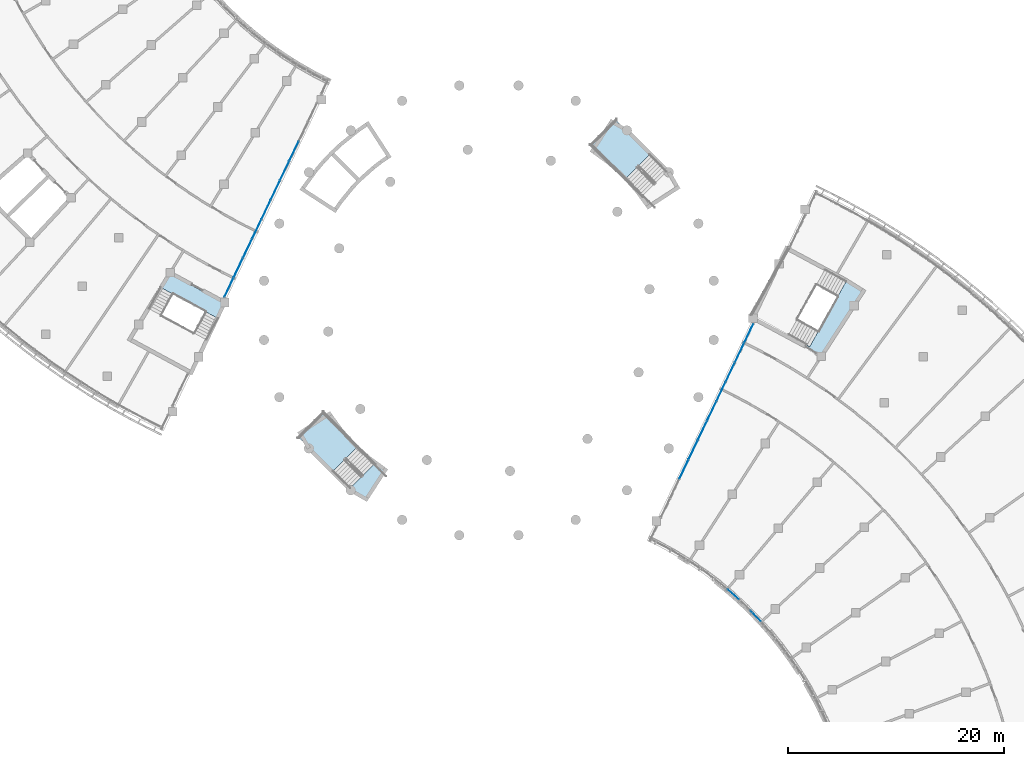
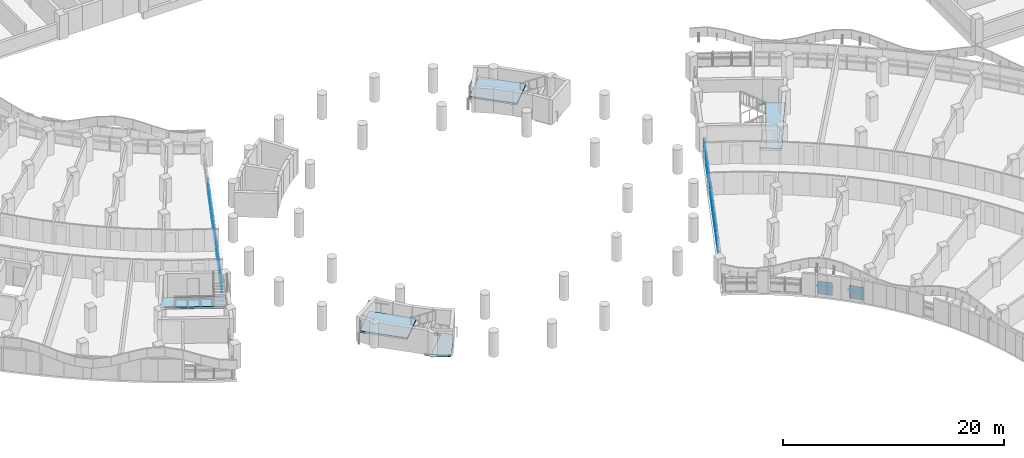
# One storey, part 28 of 89: 54 plates, 5 slabs, 5 elements without a shape of their own.
"""IFC4 building model written with IfcOpenShell, lengths in metres."""

from ifc_helpers import new_model, si_unit, direction, frame, origin, origin_2d, place, context, subcontext, project, spatial, polyline, rectangle, outline, extrude, material, layer, layer_set, type_object, element, aggregate, save


model = new_model("IFC4")

# Units and contexts
model_context = context("Model", 3, precision=1e-05, world=origin(), true_north=direction((0.0, 1.0)))
body_context = subcontext(model_context, "Body", "Model", "MODEL_VIEW")
ifc_project = project(units=[si_unit("LENGTHUNIT", "METRE"), si_unit("AREAUNIT", "SQUARE_METRE"), si_unit("VOLUMEUNIT", "CUBIC_METRE"), si_unit("PLANEANGLEUNIT", "RADIAN"), si_unit("MASSUNIT", "GRAM", prefix="KILO")], contexts=[model_context])

# Site, building, storey
site_placement = place(None, origin())
site = spatial("IfcSite", under=ifc_project, at=site_placement, CompositionType="ELEMENT")
building_placement = place(site_placement, origin())
building = spatial("IfcBuilding", under=site, at=building_placement, Name="Bougainvillea Quay General Hospital", CompositionType="ELEMENT")
storey_placement = place(building_placement, frame((0.0, 0.0, 9.89990234375)))
storey = spatial("IfcBuildingStorey", under=building, at=storey_placement, Name="L01M", CompositionType="ELEMENT", Elevation=9.89990234375)

# Curtain wall, plates
ifc_material_1 = material(Name="Aluminium curtain wall system, powder-coated glazed", Category="aluminium")
curtain_wall_type_1 = type_object("IfcCurtainWallType", Name="Unitised curtain wall CW-1997", PredefinedType="NOTDEFINED", material=ifc_material_1)
curtain_wall_1_placement = place(storey_placement, origin())
curtain_wall_1 = element("IfcCurtainWall", 1, at=curtain_wall_1_placement, inside=storey, type_object=curtain_wall_type_1, Name="CW-AE 02", PredefinedType="NOTDEFINED")
ifc_material_2 = material(Name="Insulated aluminium spandrel panel, white", Category="aluminium")
ifc_layer_1 = layer(ifc_material_2, 0.028076171875)
ifc_layer_set_1 = layer_set([ifc_layer_1], Name="Insulated aluminium spandrel panel, white")
plate_type_1 = type_object("IfcPlateType", Name="Insulated spandrel panel white 28", PredefinedType="CURTAIN_PANEL", material=ifc_layer_set_1)
plate_1_placement = place(storey_placement, frame((85.13818359375, 76.134033203125, 0.06005859375), z_axis=(0.0, 0.0, 1.0), x_axis=(0.430525444112, 0.902578440897, 0.0)))
plate_1 = element("IfcPlate", 2, at=plate_1_placement, type_object=plate_type_1, Name="CW-AE spandrel panel 1.1", PredefinedType="CURTAIN_PANEL", context=body_context, shape_type="SweptSolid", body=[
    extrude(rectangle(XDim=1.906005859375, YDim=0.028076171875, at=origin_2d()), origin(), (0.0, 0.0, 1.0), 0.81005859375),
])
plate_2_placement = place(storey_placement, frame((85.13818359375, 76.134033203125, 1.080078125), z_axis=(0.0, 0.0, 1.0), x_axis=(0.430525444112, 0.902578440897, 0.0)))
plate_2 = element("IfcPlate", 3, at=plate_2_placement, type_object=plate_type_1, Name="CW-AE spandrel panel 1.3", PredefinedType="CURTAIN_PANEL", context=body_context, shape_type="SweptSolid", body=[
    extrude(rectangle(XDim=1.906005859375, YDim=0.028076171875, at=origin_2d()), origin(), (0.0, 0.0, 1.0), 0.409912109375),
])
plate_3_placement = place(storey_placement, frame((85.9912109375, 77.922119140625, 0.06005859375), z_axis=(0.0, 0.0, 1.0), x_axis=(0.430525444112, 0.902578440897, 0.0)))
plate_3 = element("IfcPlate", 4, at=plate_3_placement, type_object=plate_type_1, Name="CW-AE spandrel panel 2.1", PredefinedType="CURTAIN_PANEL", context=body_context, shape_type="SweptSolid", body=[
    extrude(rectangle(XDim=1.93603515625, YDim=0.028076171875, at=origin_2d()), origin(), (0.0, 0.0, 1.0), 0.81005859375),
])
plate_4_placement = place(storey_placement, frame((85.9912109375, 77.922119140625, 1.080078125), z_axis=(0.0, 0.0, 1.0), x_axis=(0.430525444112, 0.902578440897, 0.0)))
plate_4 = element("IfcPlate", 5, at=plate_4_placement, type_object=plate_type_1, Name="CW-AE spandrel panel 2.3", PredefinedType="CURTAIN_PANEL", context=body_context, shape_type="SweptSolid", body=[
    extrude(rectangle(XDim=1.93603515625, YDim=0.028076171875, at=origin_2d()), origin(), (0.0, 0.0, 1.0), 0.409912109375),
])
plate_5_placement = place(storey_placement, frame((86.8505859375, 79.7236328125, 0.06005859375), z_axis=(0.0, 0.0, 1.0), x_axis=(0.430525444112, 0.902578440897, 0.0)))
plate_5 = element("IfcPlate", 6, at=plate_5_placement, type_object=plate_type_1, Name="CW-AE spandrel panel 3.1", PredefinedType="CURTAIN_PANEL", context=body_context, shape_type="SweptSolid", body=[
    extrude(rectangle(XDim=1.93603515625, YDim=0.028076171875, at=origin_2d()), origin(), (0.0, 0.0, 1.0), 0.81005859375),
])
plate_6_placement = place(storey_placement, frame((86.8505859375, 79.7236328125, 1.080078125), z_axis=(0.0, 0.0, 1.0), x_axis=(0.430525444112, 0.902578440897, 0.0)))
plate_6 = element("IfcPlate", 7, at=plate_6_placement, type_object=plate_type_1, Name="CW-AE spandrel panel 3.3", PredefinedType="CURTAIN_PANEL", context=body_context, shape_type="SweptSolid", body=[
    extrude(rectangle(XDim=1.93603515625, YDim=0.028076171875, at=origin_2d()), origin(), (0.0, 0.0, 1.0), 0.409912109375),
])
plate_7_placement = place(storey_placement, frame((87.709716796875, 81.525390625, 0.06005859375), z_axis=(0.0, 0.0, 1.0), x_axis=(0.430525444112, 0.902578440897, 0.0)))
plate_7 = element("IfcPlate", 8, at=plate_7_placement, type_object=plate_type_1, Name="CW-AE spandrel panel 4.1", PredefinedType="CURTAIN_PANEL", context=body_context, shape_type="SweptSolid", body=[
    extrude(rectangle(XDim=1.93603515625, YDim=0.028076171875, at=origin_2d()), origin(), (0.0, 0.0, 1.0), 0.81005859375),
])
plate_8_placement = place(storey_placement, frame((87.709716796875, 81.525390625, 1.080078125), z_axis=(0.0, 0.0, 1.0), x_axis=(0.430525444112, 0.902578440897, 0.0)))
plate_8 = element("IfcPlate", 9, at=plate_8_placement, type_object=plate_type_1, Name="CW-AE spandrel panel 4.3", PredefinedType="CURTAIN_PANEL", context=body_context, shape_type="SweptSolid", body=[
    extrude(rectangle(XDim=1.93603515625, YDim=0.028076171875, at=origin_2d()), origin(), (0.0, 0.0, 1.0), 0.409912109375),
])
plate_9_placement = place(storey_placement, frame((88.569091796875, 83.326904296875, 0.06005859375), z_axis=(0.0, 0.0, 1.0), x_axis=(0.430525444112, 0.902578440897, 0.0)))
plate_9 = element("IfcPlate", 10, at=plate_9_placement, type_object=plate_type_1, Name="CW-AE spandrel panel 5.1", PredefinedType="CURTAIN_PANEL", context=body_context, shape_type="SweptSolid", body=[
    extrude(rectangle(XDim=1.93603515625, YDim=0.028076171875, at=origin_2d()), origin(), (0.0, 0.0, 1.0), 0.81005859375),
])
plate_10_placement = place(storey_placement, frame((88.569091796875, 83.326904296875, 1.080078125), z_axis=(0.0, 0.0, 1.0), x_axis=(0.430525444112, 0.902578440897, 0.0)))
plate_10 = element("IfcPlate", 11, at=plate_10_placement, type_object=plate_type_1, Name="CW-AE spandrel panel 5.3", PredefinedType="CURTAIN_PANEL", context=body_context, shape_type="SweptSolid", body=[
    extrude(rectangle(XDim=1.93603515625, YDim=0.028076171875, at=origin_2d()), origin(), (0.0, 0.0, 1.0), 0.409912109375),
])
plate_11_placement = place(storey_placement, frame((89.428466796875, 85.12841796875, 0.06005859375), z_axis=(0.0, 0.0, 1.0), x_axis=(0.430525444112, 0.902578440897, 0.0)))
plate_11 = element("IfcPlate", 12, at=plate_11_placement, type_object=plate_type_1, Name="CW-AE spandrel panel 6.1", PredefinedType="CURTAIN_PANEL", context=body_context, shape_type="SweptSolid", body=[
    extrude(rectangle(XDim=1.93603515625, YDim=0.028076171875, at=origin_2d()), origin(), (0.0, 0.0, 1.0), 0.81005859375),
])
plate_12_placement = place(storey_placement, frame((89.428466796875, 85.12841796875, 1.080078125), z_axis=(0.0, 0.0, 1.0), x_axis=(0.430525444112, 0.902578440897, 0.0)))
plate_12 = element("IfcPlate", 13, at=plate_12_placement, type_object=plate_type_1, Name="CW-AE spandrel panel 6.3", PredefinedType="CURTAIN_PANEL", context=body_context, shape_type="SweptSolid", body=[
    extrude(rectangle(XDim=1.93603515625, YDim=0.028076171875, at=origin_2d()), origin(), (0.0, 0.0, 1.0), 0.409912109375),
])
plate_13_placement = place(storey_placement, frame((90.287841796875, 86.929931640625, 0.06005859375), z_axis=(0.0, 0.0, 1.0), x_axis=(0.430525444112, 0.902578440897, 0.0)))
plate_13 = element("IfcPlate", 14, at=plate_13_placement, type_object=plate_type_1, Name="CW-AE spandrel panel 7.1", PredefinedType="CURTAIN_PANEL", context=body_context, shape_type="SweptSolid", body=[
    extrude(rectangle(XDim=1.93603515625, YDim=0.028076171875, at=origin_2d()), origin(), (0.0, 0.0, 1.0), 0.81005859375),
])
plate_14_placement = place(storey_placement, frame((90.287841796875, 86.929931640625, 1.080078125), z_axis=(0.0, 0.0, 1.0), x_axis=(0.430525444112, 0.902578440897, 0.0)))
plate_14 = element("IfcPlate", 15, at=plate_14_placement, type_object=plate_type_1, Name="CW-AE spandrel panel 7.3", PredefinedType="CURTAIN_PANEL", context=body_context, shape_type="SweptSolid", body=[
    extrude(rectangle(XDim=1.93603515625, YDim=0.028076171875, at=origin_2d()), origin(), (0.0, 0.0, 1.0), 0.409912109375),
])
plate_15_placement = place(storey_placement, frame((91.147216796875, 88.731689453125, 0.06005859375), z_axis=(0.0, 0.0, 1.0), x_axis=(0.430525444112, 0.902578440897, 0.0)))
plate_15 = element("IfcPlate", 16, at=plate_15_placement, type_object=plate_type_1, Name="CW-AE spandrel panel 8.1", PredefinedType="CURTAIN_PANEL", context=body_context, shape_type="SweptSolid", body=[
    extrude(rectangle(XDim=1.93603515625, YDim=0.028076171875, at=origin_2d()), origin(), (0.0, 0.0, 1.0), 0.81005859375),
])
plate_16_placement = place(storey_placement, frame((91.147216796875, 88.731689453125, 1.080078125), z_axis=(0.0, 0.0, 1.0), x_axis=(0.430525444112, 0.902578440897, 0.0)))
plate_16 = element("IfcPlate", 17, at=plate_16_placement, type_object=plate_type_1, Name="CW-AE spandrel panel 8.3", PredefinedType="CURTAIN_PANEL", context=body_context, shape_type="SweptSolid", body=[
    extrude(rectangle(XDim=1.93603515625, YDim=0.028076171875, at=origin_2d()), origin(), (0.0, 0.0, 1.0), 0.409912109375),
])

curtain_wall_2_placement = place(storey_placement, origin())
curtain_wall_2 = element("IfcCurtainWall", 18, at=curtain_wall_2_placement, inside=storey, type_object=curtain_wall_type_1, Name="CW-AE 02", PredefinedType="NOTDEFINED")
plate_17_placement = place(storey_placement, frame((133.26171875, 71.865966796875, 0.06005859375), z_axis=(0.0, 0.0, 1.0), x_axis=(-0.430525444112, -0.902578440897, 0.0)))
plate_17 = element("IfcPlate", 19, at=plate_17_placement, type_object=plate_type_1, Name="CW-AE spandrel panel 1.1", PredefinedType="CURTAIN_PANEL", context=body_context, shape_type="SweptSolid", body=[
    extrude(rectangle(XDim=1.906005859375, YDim=0.028076171875, at=origin_2d()), origin(), (0.0, 0.0, 1.0), 0.81005859375),
])
plate_18_placement = place(storey_placement, frame((133.26171875, 71.865966796875, 1.080078125), z_axis=(0.0, 0.0, 1.0), x_axis=(-0.430525444112, -0.902578440897, 0.0)))
plate_18 = element("IfcPlate", 20, at=plate_18_placement, type_object=plate_type_1, Name="CW-AE spandrel panel 1.3", PredefinedType="CURTAIN_PANEL", context=body_context, shape_type="SweptSolid", body=[
    extrude(rectangle(XDim=1.906005859375, YDim=0.028076171875, at=origin_2d()), origin(), (0.0, 0.0, 1.0), 0.409912109375),
])
plate_19_placement = place(storey_placement, frame((132.408935546875, 70.077880859375, 0.06005859375), z_axis=(0.0, 0.0, 1.0), x_axis=(-0.430525444112, -0.902578440897, 0.0)))
plate_19 = element("IfcPlate", 21, at=plate_19_placement, type_object=plate_type_1, Name="CW-AE spandrel panel 2.1", PredefinedType="CURTAIN_PANEL", context=body_context, shape_type="SweptSolid", body=[
    extrude(rectangle(XDim=1.93603515625, YDim=0.028076171875, at=origin_2d()), origin(), (0.0, 0.0, 1.0), 0.81005859375),
])
plate_20_placement = place(storey_placement, frame((132.408935546875, 70.077880859375, 1.080078125), z_axis=(0.0, 0.0, 1.0), x_axis=(-0.430525444112, -0.902578440897, 0.0)))
plate_20 = element("IfcPlate", 22, at=plate_20_placement, type_object=plate_type_1, Name="CW-AE spandrel panel 2.3", PredefinedType="CURTAIN_PANEL", context=body_context, shape_type="SweptSolid", body=[
    extrude(rectangle(XDim=1.93603515625, YDim=0.028076171875, at=origin_2d()), origin(), (0.0, 0.0, 1.0), 0.409912109375),
])
plate_21_placement = place(storey_placement, frame((131.549560546875, 68.2763671875, 0.06005859375), z_axis=(0.0, 0.0, 1.0), x_axis=(-0.430525444112, -0.902578440897, 0.0)))
plate_21 = element("IfcPlate", 23, at=plate_21_placement, type_object=plate_type_1, Name="CW-AE spandrel panel 3.1", PredefinedType="CURTAIN_PANEL", context=body_context, shape_type="SweptSolid", body=[
    extrude(rectangle(XDim=1.93603515625, YDim=0.028076171875, at=origin_2d()), origin(), (0.0, 0.0, 1.0), 0.81005859375),
])
plate_22_placement = place(storey_placement, frame((131.549560546875, 68.2763671875, 1.080078125), z_axis=(0.0, 0.0, 1.0), x_axis=(-0.430525444112, -0.902578440897, 0.0)))
plate_22 = element("IfcPlate", 24, at=plate_22_placement, type_object=plate_type_1, Name="CW-AE spandrel panel 3.3", PredefinedType="CURTAIN_PANEL", context=body_context, shape_type="SweptSolid", body=[
    extrude(rectangle(XDim=1.93603515625, YDim=0.028076171875, at=origin_2d()), origin(), (0.0, 0.0, 1.0), 0.409912109375),
])
plate_23_placement = place(storey_placement, frame((130.690185546875, 66.474609375, 0.06005859375), z_axis=(0.0, 0.0, 1.0), x_axis=(-0.430525444112, -0.902578440897, 0.0)))
plate_23 = element("IfcPlate", 25, at=plate_23_placement, type_object=plate_type_1, Name="CW-AE spandrel panel 4.1", PredefinedType="CURTAIN_PANEL", context=body_context, shape_type="SweptSolid", body=[
    extrude(rectangle(XDim=1.93603515625, YDim=0.028076171875, at=origin_2d()), origin(), (0.0, 0.0, 1.0), 0.81005859375),
])
plate_24_placement = place(storey_placement, frame((130.690185546875, 66.474609375, 1.080078125), z_axis=(0.0, 0.0, 1.0), x_axis=(-0.430525444112, -0.902578440897, 0.0)))
plate_24 = element("IfcPlate", 26, at=plate_24_placement, type_object=plate_type_1, Name="CW-AE spandrel panel 4.3", PredefinedType="CURTAIN_PANEL", context=body_context, shape_type="SweptSolid", body=[
    extrude(rectangle(XDim=1.93603515625, YDim=0.028076171875, at=origin_2d()), origin(), (0.0, 0.0, 1.0), 0.409912109375),
])
plate_25_placement = place(storey_placement, frame((129.830810546875, 64.673095703125, 0.06005859375), z_axis=(0.0, 0.0, 1.0), x_axis=(-0.430525444112, -0.902578440897, 0.0)))
plate_25 = element("IfcPlate", 27, at=plate_25_placement, type_object=plate_type_1, Name="CW-AE spandrel panel 5.1", PredefinedType="CURTAIN_PANEL", context=body_context, shape_type="SweptSolid", body=[
    extrude(rectangle(XDim=1.93603515625, YDim=0.028076171875, at=origin_2d()), origin(), (0.0, 0.0, 1.0), 0.81005859375),
])
plate_26_placement = place(storey_placement, frame((129.830810546875, 64.673095703125, 1.080078125), z_axis=(0.0, 0.0, 1.0), x_axis=(-0.430525444112, -0.902578440897, 0.0)))
plate_26 = element("IfcPlate", 28, at=plate_26_placement, type_object=plate_type_1, Name="CW-AE spandrel panel 5.3", PredefinedType="CURTAIN_PANEL", context=body_context, shape_type="SweptSolid", body=[
    extrude(rectangle(XDim=1.93603515625, YDim=0.028076171875, at=origin_2d()), origin(), (0.0, 0.0, 1.0), 0.409912109375),
])
plate_27_placement = place(storey_placement, frame((128.971435546875, 62.87158203125, 0.06005859375), z_axis=(0.0, 0.0, 1.0), x_axis=(-0.430525444112, -0.902578440897, 0.0)))
plate_27 = element("IfcPlate", 29, at=plate_27_placement, type_object=plate_type_1, Name="CW-AE spandrel panel 6.1", PredefinedType="CURTAIN_PANEL", context=body_context, shape_type="SweptSolid", body=[
    extrude(rectangle(XDim=1.93603515625, YDim=0.028076171875, at=origin_2d()), origin(), (0.0, 0.0, 1.0), 0.81005859375),
])
plate_28_placement = place(storey_placement, frame((128.971435546875, 62.87158203125, 1.080078125), z_axis=(0.0, 0.0, 1.0), x_axis=(-0.430525444112, -0.902578440897, 0.0)))
plate_28 = element("IfcPlate", 30, at=plate_28_placement, type_object=plate_type_1, Name="CW-AE spandrel panel 6.3", PredefinedType="CURTAIN_PANEL", context=body_context, shape_type="SweptSolid", body=[
    extrude(rectangle(XDim=1.93603515625, YDim=0.028076171875, at=origin_2d()), origin(), (0.0, 0.0, 1.0), 0.409912109375),
])
plate_29_placement = place(storey_placement, frame((128.112060546875, 61.070068359375, 0.06005859375), z_axis=(0.0, 0.0, 1.0), x_axis=(-0.430525444112, -0.902578440897, 0.0)))
plate_29 = element("IfcPlate", 31, at=plate_29_placement, type_object=plate_type_1, Name="CW-AE spandrel panel 7.1", PredefinedType="CURTAIN_PANEL", context=body_context, shape_type="SweptSolid", body=[
    extrude(rectangle(XDim=1.93603515625, YDim=0.028076171875, at=origin_2d()), origin(), (0.0, 0.0, 1.0), 0.81005859375),
])
plate_30_placement = place(storey_placement, frame((128.112060546875, 61.070068359375, 1.080078125), z_axis=(0.0, 0.0, 1.0), x_axis=(-0.430525444112, -0.902578440897, 0.0)))
plate_30 = element("IfcPlate", 32, at=plate_30_placement, type_object=plate_type_1, Name="CW-AE spandrel panel 7.3", PredefinedType="CURTAIN_PANEL", context=body_context, shape_type="SweptSolid", body=[
    extrude(rectangle(XDim=1.93603515625, YDim=0.028076171875, at=origin_2d()), origin(), (0.0, 0.0, 1.0), 0.409912109375),
])
plate_31_placement = place(storey_placement, frame((127.252685546875, 59.268310546875, 0.06005859375), z_axis=(0.0, 0.0, 1.0), x_axis=(-0.430525444112, -0.902578440897, 0.0)))
plate_31 = element("IfcPlate", 33, at=plate_31_placement, type_object=plate_type_1, Name="CW-AE spandrel panel 8.1", PredefinedType="CURTAIN_PANEL", context=body_context, shape_type="SweptSolid", body=[
    extrude(rectangle(XDim=1.93603515625, YDim=0.028076171875, at=origin_2d()), origin(), (0.0, 0.0, 1.0), 0.81005859375),
])
plate_32_placement = place(storey_placement, frame((127.252685546875, 59.268310546875, 1.080078125), z_axis=(0.0, 0.0, 1.0), x_axis=(-0.430525444112, -0.902578440897, 0.0)))
plate_32 = element("IfcPlate", 34, at=plate_32_placement, type_object=plate_type_1, Name="CW-AE spandrel panel 8.3", PredefinedType="CURTAIN_PANEL", context=body_context, shape_type="SweptSolid", body=[
    extrude(rectangle(XDim=1.93603515625, YDim=0.028076171875, at=origin_2d()), origin(), (0.0, 0.0, 1.0), 0.409912109375),
])

curtain_wall_type_2 = type_object("IfcCurtainWallType", Name="Unitised curtain wall CW-2100", PredefinedType="NOTDEFINED", material=ifc_material_1)
curtain_wall_3_placement = place(storey_placement, origin())
curtain_wall_3 = element("IfcCurtainWall", 35, at=curtain_wall_3_placement, inside=storey, type_object=curtain_wall_type_2, Name="CW-E03 a12b2", PredefinedType="NOTDEFINED")
plate_33_placement = place(storey_placement, frame((131.830322265625, 47.6982421875, 0.06005859375), z_axis=(0.0, 0.0, 1.0), x_axis=(0.750772439283, -0.660560931643, 0.0)))
plate_33 = element("IfcPlate", 36, at=plate_33_placement, type_object=plate_type_1, Name="CW-E03 spandrel panel 1.1", PredefinedType="CURTAIN_PANEL", context=body_context, shape_type="SweptSolid", body=[
    extrude(rectangle(XDim=1.366943359375, YDim=0.028076171875, at=origin_2d()), origin(), (0.0, 0.0, 1.0), 0.81005859375),
])
plate_34_placement = place(storey_placement, frame((131.830322265625, 47.6982421875, 1.080078125), z_axis=(0.0, 0.0, 1.0), x_axis=(0.750772439283, -0.660560931643, 0.0)))
plate_34 = element("IfcPlate", 37, at=plate_34_placement, type_object=plate_type_1, Name="CW-E03 spandrel panel 1.3", PredefinedType="CURTAIN_PANEL", context=body_context, shape_type="SweptSolid", body=[
    extrude(rectangle(XDim=1.366943359375, YDim=0.028076171875, at=origin_2d()), origin(), (0.0, 0.0, 1.0), 0.409912109375),
])
plate_35_placement = place(storey_placement, frame((133.911376953125, 45.703857421875, 0.06005859375), z_axis=(0.0, 0.0, 1.0), x_axis=(0.691924792604, -0.721969584803, 0.0)))
plate_35 = element("IfcPlate", 38, at=plate_35_placement, type_object=plate_type_1, Name="CW-E03 spandrel panel 3.1", PredefinedType="CURTAIN_PANEL", context=body_context, shape_type="SweptSolid", body=[
    extrude(rectangle(XDim=1.366943359375, YDim=0.028076171875, at=origin_2d()), origin(), (0.0, 0.0, 1.0), 0.81005859375),
])
plate_36_placement = place(storey_placement, frame((133.911376953125, 45.703857421875, 1.080078125), z_axis=(0.0, 0.0, 1.0), x_axis=(0.691924792604, -0.721969584803, 0.0)))
plate_36 = element("IfcPlate", 39, at=plate_36_placement, type_object=plate_type_1, Name="CW-E03 spandrel panel 3.3", PredefinedType="CURTAIN_PANEL", context=body_context, shape_type="SweptSolid", body=[
    extrude(rectangle(XDim=1.366943359375, YDim=0.028076171875, at=origin_2d()), origin(), (0.0, 0.0, 1.0), 0.409912109375),
])

# Plate
ifc_material_3 = material(Name="Low-e laminated glass, solar control", Category="glass")
ifc_layer_2 = layer(ifc_material_3, 0.028076171875)
ifc_layer_set_2 = layer_set([ifc_layer_2], Name="Low-e laminated glass, solar control")
plate_type_2 = type_object("IfcPlateType", Name="Low-e laminated vision glass 28", PredefinedType="CURTAIN_PANEL", material=ifc_layer_set_2)
plate_37_placement = place(storey_placement, frame((85.13818359375, 76.134033203125, 0.93017578125), z_axis=(0.0, 0.0, 1.0), x_axis=(0.430525444112, 0.902578440897, 0.0)))
plate_37 = element("IfcPlate", 40, at=plate_37_placement, type_object=plate_type_2, Name="CW-AE vision glass panel 1.2", PredefinedType="CURTAIN_PANEL", context=body_context, shape_type="SweptSolid", body=[
    extrude(rectangle(XDim=1.906005859375, YDim=0.028076171875, at=origin_2d()), origin(), (0.0, 0.0, 1.0), 0.090087890625),
])

plate_38_placement = place(storey_placement, frame((85.9912109375, 77.922119140625, 0.93017578125), z_axis=(0.0, 0.0, 1.0), x_axis=(0.430525444112, 0.902578440897, 0.0)))
plate_38 = element("IfcPlate", 41, at=plate_38_placement, type_object=plate_type_2, Name="CW-AE vision glass panel 2.2", PredefinedType="CURTAIN_PANEL", context=body_context, shape_type="SweptSolid", body=[
    extrude(rectangle(XDim=1.93603515625, YDim=0.028076171875, at=origin_2d()), origin(), (0.0, 0.0, 1.0), 0.090087890625),
])

plate_39_placement = place(storey_placement, frame((86.8505859375, 79.7236328125, 0.93017578125), z_axis=(0.0, 0.0, 1.0), x_axis=(0.430525444112, 0.902578440897, 0.0)))
plate_39 = element("IfcPlate", 42, at=plate_39_placement, type_object=plate_type_2, Name="CW-AE vision glass panel 3.2", PredefinedType="CURTAIN_PANEL", context=body_context, shape_type="SweptSolid", body=[
    extrude(rectangle(XDim=1.93603515625, YDim=0.028076171875, at=origin_2d()), origin(), (0.0, 0.0, 1.0), 0.090087890625),
])

plate_40_placement = place(storey_placement, frame((87.709716796875, 81.525390625, 0.93017578125), z_axis=(0.0, 0.0, 1.0), x_axis=(0.430525444112, 0.902578440897, 0.0)))
plate_40 = element("IfcPlate", 43, at=plate_40_placement, type_object=plate_type_2, Name="CW-AE vision glass panel 4.2", PredefinedType="CURTAIN_PANEL", context=body_context, shape_type="SweptSolid", body=[
    extrude(rectangle(XDim=1.93603515625, YDim=0.028076171875, at=origin_2d()), origin(), (0.0, 0.0, 1.0), 0.090087890625),
])

plate_41_placement = place(storey_placement, frame((88.569091796875, 83.326904296875, 0.93017578125), z_axis=(0.0, 0.0, 1.0), x_axis=(0.430525444112, 0.902578440897, 0.0)))
plate_41 = element("IfcPlate", 44, at=plate_41_placement, type_object=plate_type_2, Name="CW-AE vision glass panel 5.2", PredefinedType="CURTAIN_PANEL", context=body_context, shape_type="SweptSolid", body=[
    extrude(rectangle(XDim=1.93603515625, YDim=0.028076171875, at=origin_2d()), origin(), (0.0, 0.0, 1.0), 0.090087890625),
])

plate_42_placement = place(storey_placement, frame((89.428466796875, 85.12841796875, 0.93017578125), z_axis=(0.0, 0.0, 1.0), x_axis=(0.430525444112, 0.902578440897, 0.0)))
plate_42 = element("IfcPlate", 45, at=plate_42_placement, type_object=plate_type_2, Name="CW-AE vision glass panel 6.2", PredefinedType="CURTAIN_PANEL", context=body_context, shape_type="SweptSolid", body=[
    extrude(rectangle(XDim=1.93603515625, YDim=0.028076171875, at=origin_2d()), origin(), (0.0, 0.0, 1.0), 0.090087890625),
])

plate_43_placement = place(storey_placement, frame((90.287841796875, 86.929931640625, 0.93017578125), z_axis=(0.0, 0.0, 1.0), x_axis=(0.430525444112, 0.902578440897, 0.0)))
plate_43 = element("IfcPlate", 46, at=plate_43_placement, type_object=plate_type_2, Name="CW-AE vision glass panel 7.2", PredefinedType="CURTAIN_PANEL", context=body_context, shape_type="SweptSolid", body=[
    extrude(rectangle(XDim=1.93603515625, YDim=0.028076171875, at=origin_2d()), origin(), (0.0, 0.0, 1.0), 0.090087890625),
])

plate_44_placement = place(storey_placement, frame((91.147216796875, 88.731689453125, 0.93017578125), z_axis=(0.0, 0.0, 1.0), x_axis=(0.430525444112, 0.902578440897, 0.0)))
plate_44 = element("IfcPlate", 47, at=plate_44_placement, type_object=plate_type_2, Name="CW-AE vision glass panel 8.2", PredefinedType="CURTAIN_PANEL", context=body_context, shape_type="SweptSolid", body=[
    extrude(rectangle(XDim=1.93603515625, YDim=0.028076171875, at=origin_2d()), origin(), (0.0, 0.0, 1.0), 0.090087890625),
])

aggregate(curtain_wall_1, [plate_1, plate_37, plate_2, plate_3, plate_38, plate_4, plate_5, plate_39, plate_6, plate_7, plate_40, plate_8, plate_9, plate_41, plate_10, plate_11, plate_42, plate_12, plate_13, plate_43, plate_14, plate_15, plate_44, plate_16])

plate_45_placement = place(storey_placement, frame((133.26171875, 71.865966796875, 0.93017578125), z_axis=(0.0, 0.0, 1.0), x_axis=(-0.430525444112, -0.902578440897, 0.0)))
plate_45 = element("IfcPlate", 48, at=plate_45_placement, type_object=plate_type_2, Name="CW-AE vision glass panel 1.2", PredefinedType="CURTAIN_PANEL", context=body_context, shape_type="SweptSolid", body=[
    extrude(rectangle(XDim=1.906005859375, YDim=0.028076171875, at=origin_2d()), origin(), (0.0, 0.0, 1.0), 0.090087890625),
])

plate_46_placement = place(storey_placement, frame((132.408935546875, 70.077880859375, 0.93017578125), z_axis=(0.0, 0.0, 1.0), x_axis=(-0.430525444112, -0.902578440897, 0.0)))
plate_46 = element("IfcPlate", 49, at=plate_46_placement, type_object=plate_type_2, Name="CW-AE vision glass panel 2.2", PredefinedType="CURTAIN_PANEL", context=body_context, shape_type="SweptSolid", body=[
    extrude(rectangle(XDim=1.93603515625, YDim=0.028076171875, at=origin_2d()), origin(), (0.0, 0.0, 1.0), 0.090087890625),
])

plate_47_placement = place(storey_placement, frame((131.549560546875, 68.2763671875, 0.93017578125), z_axis=(0.0, 0.0, 1.0), x_axis=(-0.430525444112, -0.902578440897, 0.0)))
plate_47 = element("IfcPlate", 50, at=plate_47_placement, type_object=plate_type_2, Name="CW-AE vision glass panel 3.2", PredefinedType="CURTAIN_PANEL", context=body_context, shape_type="SweptSolid", body=[
    extrude(rectangle(XDim=1.93603515625, YDim=0.028076171875, at=origin_2d()), origin(), (0.0, 0.0, 1.0), 0.090087890625),
])

plate_48_placement = place(storey_placement, frame((130.690185546875, 66.474609375, 0.93017578125), z_axis=(0.0, 0.0, 1.0), x_axis=(-0.430525444112, -0.902578440897, 0.0)))
plate_48 = element("IfcPlate", 51, at=plate_48_placement, type_object=plate_type_2, Name="CW-AE vision glass panel 4.2", PredefinedType="CURTAIN_PANEL", context=body_context, shape_type="SweptSolid", body=[
    extrude(rectangle(XDim=1.93603515625, YDim=0.028076171875, at=origin_2d()), origin(), (0.0, 0.0, 1.0), 0.090087890625),
])

plate_49_placement = place(storey_placement, frame((129.830810546875, 64.673095703125, 0.93017578125), z_axis=(0.0, 0.0, 1.0), x_axis=(-0.430525444112, -0.902578440897, 0.0)))
plate_49 = element("IfcPlate", 52, at=plate_49_placement, type_object=plate_type_2, Name="CW-AE vision glass panel 5.2", PredefinedType="CURTAIN_PANEL", context=body_context, shape_type="SweptSolid", body=[
    extrude(rectangle(XDim=1.93603515625, YDim=0.028076171875, at=origin_2d()), origin(), (0.0, 0.0, 1.0), 0.090087890625),
])

plate_50_placement = place(storey_placement, frame((128.971435546875, 62.87158203125, 0.93017578125), z_axis=(0.0, 0.0, 1.0), x_axis=(-0.430525444112, -0.902578440897, 0.0)))
plate_50 = element("IfcPlate", 53, at=plate_50_placement, type_object=plate_type_2, Name="CW-AE vision glass panel 6.2", PredefinedType="CURTAIN_PANEL", context=body_context, shape_type="SweptSolid", body=[
    extrude(rectangle(XDim=1.93603515625, YDim=0.028076171875, at=origin_2d()), origin(), (0.0, 0.0, 1.0), 0.090087890625),
])

plate_51_placement = place(storey_placement, frame((128.112060546875, 61.070068359375, 0.93017578125), z_axis=(0.0, 0.0, 1.0), x_axis=(-0.430525444112, -0.902578440897, 0.0)))
plate_51 = element("IfcPlate", 54, at=plate_51_placement, type_object=plate_type_2, Name="CW-AE vision glass panel 7.2", PredefinedType="CURTAIN_PANEL", context=body_context, shape_type="SweptSolid", body=[
    extrude(rectangle(XDim=1.93603515625, YDim=0.028076171875, at=origin_2d()), origin(), (0.0, 0.0, 1.0), 0.090087890625),
])

plate_52_placement = place(storey_placement, frame((127.252685546875, 59.268310546875, 0.93017578125), z_axis=(0.0, 0.0, 1.0), x_axis=(-0.430525444112, -0.902578440897, 0.0)))
plate_52 = element("IfcPlate", 55, at=plate_52_placement, type_object=plate_type_2, Name="CW-AE vision glass panel 8.2", PredefinedType="CURTAIN_PANEL", context=body_context, shape_type="SweptSolid", body=[
    extrude(rectangle(XDim=1.93603515625, YDim=0.028076171875, at=origin_2d()), origin(), (0.0, 0.0, 1.0), 0.090087890625),
])

aggregate(curtain_wall_2, [plate_17, plate_45, plate_18, plate_19, plate_46, plate_20, plate_21, plate_47, plate_22, plate_23, plate_48, plate_24, plate_25, plate_49, plate_26, plate_27, plate_50, plate_28, plate_29, plate_51, plate_30, plate_31, plate_52, plate_32])

plate_53_placement = place(storey_placement, frame((131.830322265625, 47.6982421875, 0.93017578125), z_axis=(0.0, 0.0, 1.0), x_axis=(0.750772439283, -0.660560931643, 0.0)))
plate_53 = element("IfcPlate", 56, at=plate_53_placement, type_object=plate_type_2, Name="CW-E03 vision glass panel 1.2", PredefinedType="CURTAIN_PANEL", context=body_context, shape_type="SweptSolid", body=[
    extrude(rectangle(XDim=1.366943359375, YDim=0.028076171875, at=origin_2d()), origin(), (0.0, 0.0, 1.0), 0.090087890625),
])

plate_54_placement = place(storey_placement, frame((133.911376953125, 45.703857421875, 0.93017578125), z_axis=(0.0, 0.0, 1.0), x_axis=(0.691924792604, -0.721969584803, 0.0)))
plate_54 = element("IfcPlate", 57, at=plate_54_placement, type_object=plate_type_2, Name="CW-E03 vision glass panel 3.2", PredefinedType="CURTAIN_PANEL", context=body_context, shape_type="SweptSolid", body=[
    extrude(rectangle(XDim=1.366943359375, YDim=0.028076171875, at=origin_2d()), origin(), (0.0, 0.0, 1.0), 0.090087890625),
])

aggregate(curtain_wall_3, [plate_33, plate_53, plate_34, plate_35, plate_54, plate_36])

# Slabs
ifc_material_4 = material(Name="Concrete C35", Category="concrete")
ifc_layer_3 = layer(ifc_material_4, 0.25)
ifc_layer_set_3 = layer_set([ifc_layer_3], Name="Concrete C35")
slab_type_1 = type_object("IfcSlabType", Name="RC FLAT SLAB 250 C35", PredefinedType="FLOOR", material=ifc_layer_set_3)
slab_1_placement = place(storey_placement, frame((0.0, 0.0, -0.25)))
element("IfcSlab", 58, at=slab_1_placement, inside=storey, type_object=slab_type_1, Name="Stair landing floor ST-W1 L01M", PredefinedType="FLOOR", context=body_context, shape_type="SweptSolid", body=[
    extrude(outline(polyline([(82.178955078125, 76.0390625), (83.455078125, 75.3701171875), (84.7470703125, 74.73291015625), (84.63623046875, 74.500732421875), (84.680419921875, 74.47705078125), (84.0986328125, 73.2578125), (78.80126953125, 76.123046875), (79.503173828125, 77.277099609375), (79.54736328125, 77.253173828125), (79.680908203125, 77.472900390625), (80.9208984375, 76.739990234375), (82.178955078125, 76.0390625)])), origin(), (0.0, 0.0, 1.0), 0.25),
])
slab_2_placement = place(storey_placement, frame((0.0, 0.0, -0.25)))
element("IfcSlab", 59, at=slab_2_placement, inside=storey, type_object=slab_type_1, Name="Stair landing floor ST-E1 L01M", PredefinedType="FLOOR", context=body_context, shape_type="SweptSolid", body=[
    extrude(outline(polyline([(141.918701171875, 72.65380859375), (140.1650390625, 69.93408203125), (140.12109375, 69.95849609375), (139.97900390625, 69.738037109375), (138.44091796875, 70.695068359375), (138.318359375, 70.765869140625), (138.33349609375, 70.82177734375), (138.354248046875, 70.876708984375), (138.3798828125, 70.9287109375), (138.90478515625, 70.636474609375), (142.294677734375, 76.71337890625), (141.7705078125, 77.00634765625), (141.801025390625, 77.055419921875), (141.80810546875, 77.064208984375), (142.14697265625, 76.867919921875), (143.279296875, 76.163330078125), (143.73486328125, 75.9091796875), (143.72265625, 75.887451171875), (143.881103515625, 75.7890625), (142.30029296875, 73.337646484375), (141.918701171875, 72.65380859375)])), origin(), (0.0, 0.0, 1.0), 0.25),
])
slab_3_placement = place(storey_placement, frame((0.0, 0.0, -0.25)))
element("IfcSlab", 60, at=slab_3_placement, inside=storey, type_object=slab_type_1, Name="Stair landing floor ST-H2 L01M", PredefinedType="FLOOR", context=body_context, shape_type="SweptSolid", body=[
    extrude(outline(polyline([(97.6240234375, 56.5849609375), (96.727783203125, 57.102294921875), (96.59130859375, 57.239013671875), (96.416015625, 57.340087890625), (95.869873046875, 57.885986328125), (95.904296875, 57.92431640625), (96.329345703125, 57.499755859375), (98.611328125, 59.781982421875), (98.18701171875, 60.206787109375), (98.226806640625, 60.242919921875), (98.85498046875, 59.760986328125), (99.614013671875, 59.239013671875), (99.4326171875, 58.959716796875), (99.46875, 58.923583984375), (98.553955078125, 57.514892578125), (98.3837890625, 57.3447265625), (97.844970703125, 56.514892578125), (97.66064453125, 56.62158203125), (97.6240234375, 56.5849609375)])), origin(), (0.0, 0.0, 1.0), 0.25),
])

# Stair, slab
stair_type = type_object("IfcStairType", Name="Stair half-turn 1563 wide", PredefinedType="HALF_TURN_STAIR", material=ifc_material_4)
stair_1_placement = place(storey_placement, origin())
stair_1 = element("IfcStair", 61, at=stair_1_placement, inside=storey, type_object=stair_type, Name="L01M stair ST-H1", PredefinedType="HALF_TURN_STAIR")
ifc_layer_4 = layer(ifc_material_4, 0.199951171875)
ifc_layer_set_4 = layer_set([ifc_layer_4], Name="Concrete C35")
slab_type_2 = type_object("IfcSlabType", Name="Stair landing 200", PredefinedType="LANDING", material=ifc_layer_set_4)
slab_4_placement = place(storey_placement, frame((0.0, 0.0, 1.150146484375)))
slab_4 = element("IfcSlab", 62, at=slab_4_placement, type_object=slab_type_2, Name="ST-H1 landing 1", PredefinedType="LANDING", context=body_context, shape_type="SweptSolid", body=[
    extrude(outline(polyline([(124.115478515625, 88.45458984375), (120.96533203125, 91.604736328125), (118.68408203125, 89.323486328125), (121.834228515625, 86.17333984375), (124.115478515625, 88.45458984375)])), origin(), (0.0, 0.0, 1.0), 0.199951171875),
])
aggregate(stair_1, [slab_4])

stair_2_placement = place(storey_placement, origin())
stair_2 = element("IfcStair", 63, at=stair_2_placement, inside=storey, type_object=stair_type, Name="L01M stair ST-H2", PredefinedType="HALF_TURN_STAIR")
slab_5_placement = place(storey_placement, frame((0.0, 0.0, 1.150146484375)))
slab_5 = element("IfcSlab", 64, at=slab_5_placement, type_object=slab_type_2, Name="ST-H2 landing 1", PredefinedType="LANDING", context=body_context, shape_type="SweptSolid", body=[
    extrude(outline(polyline([(97.026611328125, 61.36572265625), (93.87646484375, 64.515869140625), (91.59521484375, 62.23486328125), (94.745361328125, 59.084716796875), (97.026611328125, 61.36572265625)])), origin(), (0.0, 0.0, 1.0), 0.199951171875),
])
aggregate(stair_2, [slab_5])

save(model, "model.ifc")
